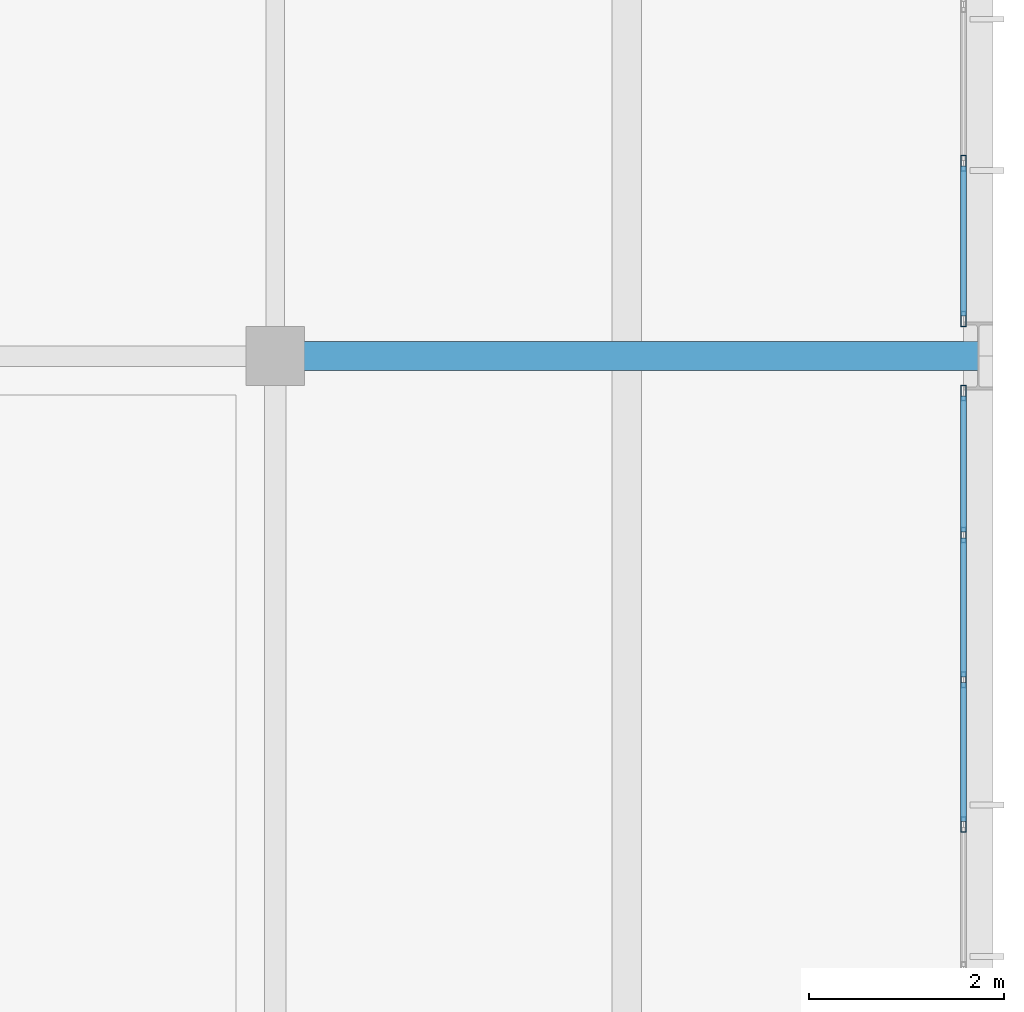
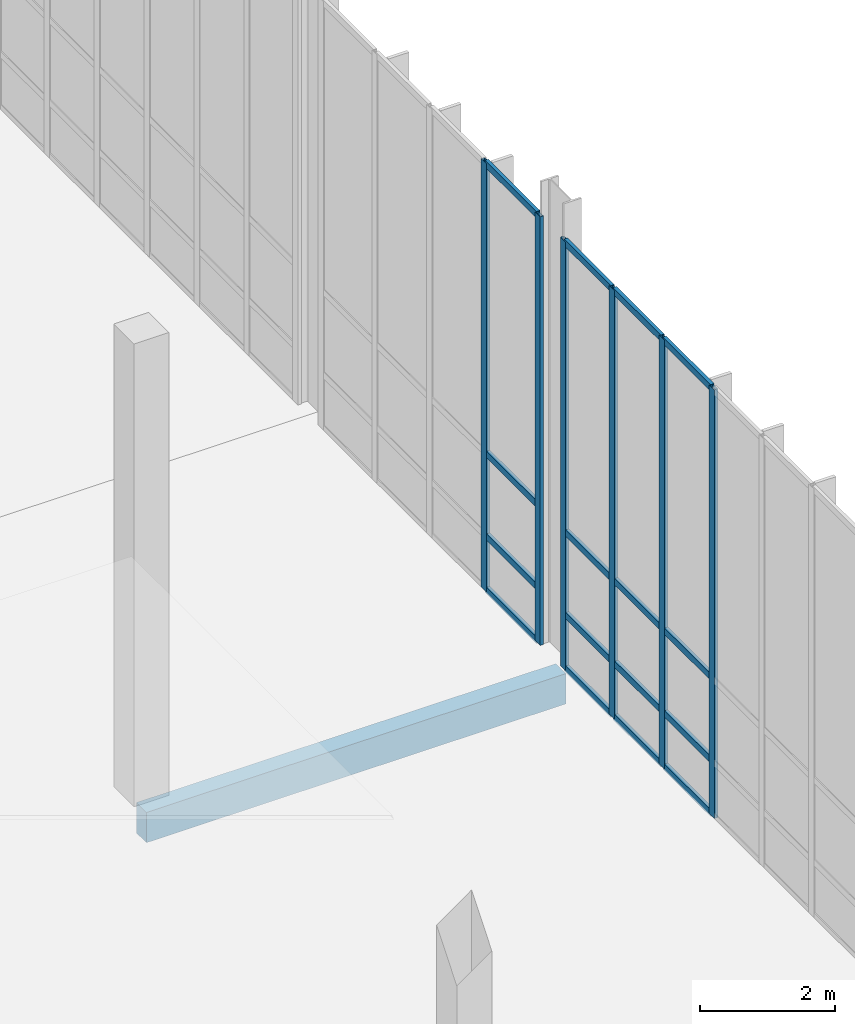
# One storey, part 90 of 131: 22 members, 1 beam, 2 elements without a shape of their own.
"""IFC4 building model written with IfcOpenShell, lengths in metres."""

from ifc_helpers import new_model, si_unit, direction, frame, origin, origin_2d, place, context, subcontext, project, spatial, rectangle, hollow_rectangle, extrude, material, material_profile, profile_set, type_object, element, aggregate, save


model = new_model("IFC4")

# Units and contexts
model_context = context("Model", 3, precision=1e-05, world=origin(), true_north=direction((0.0, 1.0)))
body_context = subcontext(model_context, "Body", "Model", "MODEL_VIEW")
ifc_project = project(units=[si_unit("LENGTHUNIT", "METRE"), si_unit("AREAUNIT", "SQUARE_METRE"), si_unit("VOLUMEUNIT", "CUBIC_METRE"), si_unit("PLANEANGLEUNIT", "RADIAN"), si_unit("MASSUNIT", "GRAM", prefix="KILO")], contexts=[model_context])

# Site, building, storey
site_placement = place(None, origin())
site = spatial("IfcSite", under=ifc_project, at=site_placement, CompositionType="ELEMENT")
building_placement = place(site_placement, origin())
building = spatial("IfcBuilding", under=site, at=building_placement, Name="Veltarok Museum of Natural Sciences", CompositionType="ELEMENT")
storey_placement = place(building_placement, origin())
storey = spatial("IfcBuildingStorey", under=building, at=storey_placement, Name="L00", CompositionType="ELEMENT", Elevation=0.0)

# Curtain wall, members
ifc_material_1 = material(Name="Low-iron triple insulated glass", Category="glass")
curtain_wall_type_1 = type_object("IfcCurtainWallType", Name="Curtain Wall System CW-V5E-L00-B-890x778 (V5 East Lab L00 B-C 890x778cm)", PredefinedType="NOTDEFINED", material=ifc_material_1)
curtain_wall_1_placement = place(storey_placement, origin())
curtain_wall_1 = element("IfcCurtainWall", 1, at=curtain_wall_1_placement, inside=storey, type_object=curtain_wall_type_1, Name="Curtain Wall CW-V5E-L00-B-890x778 CW-0099", PredefinedType="NOTDEFINED")
ifc_material_2 = material(Name="Thermally broken anodised aluminium", Category="aluminium")
ifc_material_profile_1 = material_profile(ifc_material_2, hollow_rectangle(XDim=0.06005859375, YDim=0.1201171875, WallThickness=0.0048828125, at=origin_2d()), Name="CW TRANSOM 60x120x5")
ifc_profile_set_1 = profile_set([ifc_material_profile_1], Name="Thermally broken anodised aluminium")
member_type_1 = type_object("IfcMemberType", Name="Curtain Wall Horizontal Transom 60x120x5", PredefinedType="USERDEFINED", material=ifc_profile_set_1)
member_1_placement = place(storey_placement, frame((164.64990234375, 14.429931640625, 0.030029296875), z_axis=(0.0, 1.0, 0.0), x_axis=(-1.0, 0.0, 0.0)))
member_1 = element("IfcMember", 2, at=member_1_placement, type_object=member_type_1, Name="CW-V5E-L00-B-890x778 transom 4.1", ObjectType="TRANSOM", PredefinedType="USERDEFINED", context=body_context, shape_type="SweptSolid", body=[
    extrude(hollow_rectangle(XDim=0.06005859375, YDim=0.1201171875, WallThickness=0.0048828125, at=origin_2d()), origin(), (0.0, 0.0, 1.0), 1.42333984375),
])
member_2_placement = place(storey_placement, frame((164.64990234375, 14.429931640625, 1.0), z_axis=(0.0, 1.0, 0.0), x_axis=(-1.0, 0.0, 0.0)))
member_2 = element("IfcMember", 3, at=member_2_placement, type_object=member_type_1, Name="CW-V5E-L00-B-890x778 transom 4.2", ObjectType="TRANSOM", PredefinedType="USERDEFINED", context=body_context, shape_type="SweptSolid", body=[
    extrude(hollow_rectangle(XDim=0.06005859375, YDim=0.1201171875, WallThickness=0.0048828125, at=origin_2d()), origin(), (0.0, 0.0, 1.0), 1.42333984375),
])
member_3_placement = place(storey_placement, frame((164.64990234375, 14.429931640625, 2.5), z_axis=(0.0, 1.0, 0.0), x_axis=(-1.0, 0.0, 0.0)))
member_3 = element("IfcMember", 4, at=member_3_placement, type_object=member_type_1, Name="CW-V5E-L00-B-890x778 transom 4.3", ObjectType="TRANSOM", PredefinedType="USERDEFINED", context=body_context, shape_type="SweptSolid", body=[
    extrude(hollow_rectangle(XDim=0.06005859375, YDim=0.1201171875, WallThickness=0.0048828125, at=origin_2d()), origin(), (0.0, 0.0, 1.0), 1.42333984375),
])
member_4_placement = place(storey_placement, frame((164.64990234375, 14.429931640625, 7.75), z_axis=(0.0, 1.0, 0.0), x_axis=(-1.0, 0.0, 0.0)))
member_4 = element("IfcMember", 5, at=member_4_placement, type_object=member_type_1, Name="CW-V5E-L00-B-890x778 transom 4.4", ObjectType="TRANSOM", PredefinedType="USERDEFINED", context=body_context, shape_type="SweptSolid", body=[
    extrude(hollow_rectangle(XDim=0.06005859375, YDim=0.1201171875, WallThickness=0.0048828125, at=origin_2d()), origin(), (0.0, 0.0, 1.0), 1.42333984375),
])
member_5_placement = place(storey_placement, frame((164.64990234375, 15.913330078125, 0.030029296875), z_axis=(0.0, 1.0, 0.0), x_axis=(-1.0, 0.0, 0.0)))
member_5 = element("IfcMember", 6, at=member_5_placement, type_object=member_type_1, Name="CW-V5E-L00-B-890x778 transom 5.1", ObjectType="TRANSOM", PredefinedType="USERDEFINED", context=body_context, shape_type="SweptSolid", body=[
    extrude(hollow_rectangle(XDim=0.06005859375, YDim=0.1201171875, WallThickness=0.0048828125, at=origin_2d()), origin(), (0.0, 0.0, 1.0), 1.42333984375),
])
member_6_placement = place(storey_placement, frame((164.64990234375, 15.913330078125, 1.0), z_axis=(0.0, 1.0, 0.0), x_axis=(-1.0, 0.0, 0.0)))
member_6 = element("IfcMember", 7, at=member_6_placement, type_object=member_type_1, Name="CW-V5E-L00-B-890x778 transom 5.2", ObjectType="TRANSOM", PredefinedType="USERDEFINED", context=body_context, shape_type="SweptSolid", body=[
    extrude(hollow_rectangle(XDim=0.06005859375, YDim=0.1201171875, WallThickness=0.0048828125, at=origin_2d()), origin(), (0.0, 0.0, 1.0), 1.42333984375),
])
member_7_placement = place(storey_placement, frame((164.64990234375, 15.913330078125, 2.5), z_axis=(0.0, 1.0, 0.0), x_axis=(-1.0, 0.0, 0.0)))
member_7 = element("IfcMember", 8, at=member_7_placement, type_object=member_type_1, Name="CW-V5E-L00-B-890x778 transom 5.3", ObjectType="TRANSOM", PredefinedType="USERDEFINED", context=body_context, shape_type="SweptSolid", body=[
    extrude(hollow_rectangle(XDim=0.06005859375, YDim=0.1201171875, WallThickness=0.0048828125, at=origin_2d()), origin(), (0.0, 0.0, 1.0), 1.42333984375),
])
member_8_placement = place(storey_placement, frame((164.64990234375, 15.913330078125, 7.75), z_axis=(0.0, 1.0, 0.0), x_axis=(-1.0, 0.0, 0.0)))
member_8 = element("IfcMember", 9, at=member_8_placement, type_object=member_type_1, Name="CW-V5E-L00-B-890x778 transom 5.4", ObjectType="TRANSOM", PredefinedType="USERDEFINED", context=body_context, shape_type="SweptSolid", body=[
    extrude(hollow_rectangle(XDim=0.06005859375, YDim=0.1201171875, WallThickness=0.0048828125, at=origin_2d()), origin(), (0.0, 0.0, 1.0), 1.42333984375),
])
member_9_placement = place(storey_placement, frame((164.64990234375, 17.396728515625, 0.030029296875), z_axis=(0.0, 1.0, 0.0), x_axis=(-1.0, 0.0, 0.0)))
member_9 = element("IfcMember", 10, at=member_9_placement, type_object=member_type_1, Name="CW-V5E-L00-B-890x778 transom 6.1", ObjectType="TRANSOM", PredefinedType="USERDEFINED", context=body_context, shape_type="SweptSolid", body=[
    extrude(hollow_rectangle(XDim=0.06005859375, YDim=0.1201171875, WallThickness=0.0048828125, at=origin_2d()), origin(), (0.0, 0.0, 1.0), 1.393310546875),
])
member_10_placement = place(storey_placement, frame((164.64990234375, 17.396728515625, 1.0), z_axis=(0.0, 1.0, 0.0), x_axis=(-1.0, 0.0, 0.0)))
member_10 = element("IfcMember", 11, at=member_10_placement, type_object=member_type_1, Name="CW-V5E-L00-B-890x778 transom 6.2", ObjectType="TRANSOM", PredefinedType="USERDEFINED", context=body_context, shape_type="SweptSolid", body=[
    extrude(hollow_rectangle(XDim=0.06005859375, YDim=0.1201171875, WallThickness=0.0048828125, at=origin_2d()), origin(), (0.0, 0.0, 1.0), 1.393310546875),
])
member_11_placement = place(storey_placement, frame((164.64990234375, 17.396728515625, 2.5), z_axis=(0.0, 1.0, 0.0), x_axis=(-1.0, 0.0, 0.0)))
member_11 = element("IfcMember", 12, at=member_11_placement, type_object=member_type_1, Name="CW-V5E-L00-B-890x778 transom 6.3", ObjectType="TRANSOM", PredefinedType="USERDEFINED", context=body_context, shape_type="SweptSolid", body=[
    extrude(hollow_rectangle(XDim=0.06005859375, YDim=0.1201171875, WallThickness=0.0048828125, at=origin_2d()), origin(), (0.0, 0.0, 1.0), 1.393310546875),
])
member_12_placement = place(storey_placement, frame((164.64990234375, 17.396728515625, 7.75), z_axis=(0.0, 1.0, 0.0), x_axis=(-1.0, 0.0, 0.0)))
member_12 = element("IfcMember", 13, at=member_12_placement, type_object=member_type_1, Name="CW-V5E-L00-B-890x778 transom 6.4", ObjectType="TRANSOM", PredefinedType="USERDEFINED", context=body_context, shape_type="SweptSolid", body=[
    extrude(hollow_rectangle(XDim=0.06005859375, YDim=0.1201171875, WallThickness=0.0048828125, at=origin_2d()), origin(), (0.0, 0.0, 1.0), 1.393310546875),
])

curtain_wall_type_2 = type_object("IfcCurtainWallType", Name="Curtain Wall System CW-V5E-L00-C-650x778 (V5 East Lab L00 C-D 650x778cm)", PredefinedType="NOTDEFINED", material=ifc_material_1)
curtain_wall_2_placement = place(storey_placement, origin())
curtain_wall_2 = element("IfcCurtainWall", 14, at=curtain_wall_2_placement, inside=storey, type_object=curtain_wall_type_2, Name="Curtain Wall CW-V5E-L00-C-650x778 CW-0100", PredefinedType="NOTDEFINED")
member_13_placement = place(storey_placement, frame((164.64990234375, 19.610107421875, 0.030029296875), z_axis=(0.0, 1.0, 0.0), x_axis=(-1.0, 0.0, 0.0)))
member_13 = element("IfcMember", 15, at=member_13_placement, type_object=member_type_1, Name="CW-V5E-L00-C-650x778 transom 1.1", ObjectType="TRANSOM", PredefinedType="USERDEFINED", context=body_context, shape_type="SweptSolid", body=[
    extrude(hollow_rectangle(XDim=0.06005859375, YDim=0.1201171875, WallThickness=0.0048828125, at=origin_2d()), origin(), (0.0, 0.0, 1.0), 1.534912109375),
])
member_14_placement = place(storey_placement, frame((164.64990234375, 19.610107421875, 1.0), z_axis=(0.0, 1.0, 0.0), x_axis=(-1.0, 0.0, 0.0)))
member_14 = element("IfcMember", 16, at=member_14_placement, type_object=member_type_1, Name="CW-V5E-L00-C-650x778 transom 1.2", ObjectType="TRANSOM", PredefinedType="USERDEFINED", context=body_context, shape_type="SweptSolid", body=[
    extrude(hollow_rectangle(XDim=0.06005859375, YDim=0.1201171875, WallThickness=0.0048828125, at=origin_2d()), origin(), (0.0, 0.0, 1.0), 1.534912109375),
])
member_15_placement = place(storey_placement, frame((164.64990234375, 19.610107421875, 2.5), z_axis=(0.0, 1.0, 0.0), x_axis=(-1.0, 0.0, 0.0)))
member_15 = element("IfcMember", 17, at=member_15_placement, type_object=member_type_1, Name="CW-V5E-L00-C-650x778 transom 1.3", ObjectType="TRANSOM", PredefinedType="USERDEFINED", context=body_context, shape_type="SweptSolid", body=[
    extrude(hollow_rectangle(XDim=0.06005859375, YDim=0.1201171875, WallThickness=0.0048828125, at=origin_2d()), origin(), (0.0, 0.0, 1.0), 1.534912109375),
])
member_16_placement = place(storey_placement, frame((164.64990234375, 19.610107421875, 7.75), z_axis=(0.0, 1.0, 0.0), x_axis=(-1.0, 0.0, 0.0)))
member_16 = element("IfcMember", 18, at=member_16_placement, type_object=member_type_1, Name="CW-V5E-L00-C-650x778 transom 1.4", ObjectType="TRANSOM", PredefinedType="USERDEFINED", context=body_context, shape_type="SweptSolid", body=[
    extrude(hollow_rectangle(XDim=0.06005859375, YDim=0.1201171875, WallThickness=0.0048828125, at=origin_2d()), origin(), (0.0, 0.0, 1.0), 1.534912109375),
])

# Member
ifc_material_profile_2 = material_profile(ifc_material_2, hollow_rectangle(XDim=0.06005859375, YDim=0.159912109375, WallThickness=0.0048828125, at=origin_2d()), Name="CW MULLION 60x160x5")
ifc_profile_set_2 = profile_set([ifc_material_profile_2], Name="Thermally broken anodised aluminium")
member_type_2 = type_object("IfcMemberType", Name="Curtain Wall Vertical Mullion 60x160x5", PredefinedType="MULLION", material=ifc_profile_set_2)
member_17_placement = place(storey_placement, frame((164.64990234375, 14.39990234375, 0.0), z_axis=(0.0, 0.0, 1.0), x_axis=(-1.0, 0.0, 0.0)))
member_17 = element("IfcMember", 19, at=member_17_placement, type_object=member_type_2, Name="CW-V5E-L00-B-890x778 mullion 4", PredefinedType="MULLION", context=body_context, shape_type="SweptSolid", body=[
    extrude(hollow_rectangle(XDim=0.06005859375, YDim=0.159912109375, WallThickness=0.0048828125, at=origin_2d()), origin(), (0.0, 0.0, 1.0), 7.780029296875),
])

member_18_placement = place(storey_placement, frame((164.64990234375, 15.88330078125, 0.0), z_axis=(0.0, 0.0, 1.0), x_axis=(-1.0, 0.0, 0.0)))
member_18 = element("IfcMember", 20, at=member_18_placement, type_object=member_type_2, Name="CW-V5E-L00-B-890x778 mullion 5", PredefinedType="MULLION", context=body_context, shape_type="SweptSolid", body=[
    extrude(hollow_rectangle(XDim=0.06005859375, YDim=0.159912109375, WallThickness=0.0048828125, at=origin_2d()), origin(), (0.0, 0.0, 1.0), 7.780029296875),
])

member_19_placement = place(storey_placement, frame((164.64990234375, 17.36669921875, 0.0), z_axis=(0.0, 0.0, 1.0), x_axis=(-1.0, 0.0, 0.0)))
member_19 = element("IfcMember", 21, at=member_19_placement, type_object=member_type_2, Name="CW-V5E-L00-B-890x778 mullion 6", PredefinedType="MULLION", context=body_context, shape_type="SweptSolid", body=[
    extrude(hollow_rectangle(XDim=0.06005859375, YDim=0.159912109375, WallThickness=0.0048828125, at=origin_2d()), origin(), (0.0, 0.0, 1.0), 7.780029296875),
])

member_20_placement = place(storey_placement, frame((164.64990234375, 18.820068359375, 0.0), z_axis=(0.0, 0.0, 1.0), x_axis=(-1.0, 0.0, 0.0)))
member_20 = element("IfcMember", 22, at=member_20_placement, type_object=member_type_2, Name="CW-V5E-L00-B-890x778 mullion 7", PredefinedType="MULLION", context=body_context, shape_type="SweptSolid", body=[
    extrude(hollow_rectangle(XDim=0.06005859375, YDim=0.159912109375, WallThickness=0.0048828125, at=origin_2d()), origin(), (0.0, 0.0, 1.0), 7.780029296875),
])

aggregate(curtain_wall_1, [member_17, member_18, member_19, member_20, member_1, member_2, member_3, member_4, member_5, member_6, member_7, member_8, member_9, member_10, member_11, member_12])

member_21_placement = place(storey_placement, frame((164.64990234375, 19.580078125, 0.0), z_axis=(0.0, 0.0, 1.0), x_axis=(-1.0, 0.0, 0.0)))
member_21 = element("IfcMember", 23, at=member_21_placement, type_object=member_type_2, Name="CW-V5E-L00-C-650x778 mullion 1", PredefinedType="MULLION", context=body_context, shape_type="SweptSolid", body=[
    extrude(hollow_rectangle(XDim=0.06005859375, YDim=0.159912109375, WallThickness=0.0048828125, at=origin_2d()), origin(), (0.0, 0.0, 1.0), 7.780029296875),
])

member_22_placement = place(storey_placement, frame((164.64990234375, 21.175048828125, 0.0), z_axis=(0.0, 0.0, 1.0), x_axis=(-1.0, 0.0, 0.0)))
member_22 = element("IfcMember", 24, at=member_22_placement, type_object=member_type_2, Name="CW-V5E-L00-C-650x778 mullion 2", PredefinedType="MULLION", context=body_context, shape_type="SweptSolid", body=[
    extrude(hollow_rectangle(XDim=0.06005859375, YDim=0.159912109375, WallThickness=0.0048828125, at=origin_2d()), origin(), (0.0, 0.0, 1.0), 7.780029296875),
])

aggregate(curtain_wall_2, [member_21, member_22, member_13, member_14, member_15, member_16])

# Beam
ifc_material_3 = material(Name="Precast concrete C40/50", Category="concrete")
ifc_material_profile_3 = material_profile(ifc_material_3, rectangle(XDim=0.300048828125, YDim=0.550048828125, at=origin_2d()), Name="RC 300x550")
ifc_profile_set_3 = profile_set([ifc_material_profile_3], Name="Precast concrete C40/50")
beam_type = type_object("IfcBeamType", Name="East Wing Precast Spandrel RC 300x550", PredefinedType="SPANDREL", material=ifc_profile_set_3)
beam_placement = place(storey_placement, frame((157.60009765625, 19.199951171875, -0.574951171875), z_axis=(1.0, 0.0, 0.0), x_axis=(0.0, 1.0, 0.0)))
element("IfcBeam", 25, at=beam_placement, inside=storey, type_object=beam_type, Name="Beam BM-SP02 L00 19-20/C", PredefinedType="SPANDREL", context=body_context, shape_type="SweptSolid", body=[
    extrude(rectangle(XDim=0.300048828125, YDim=0.550048828125, at=origin_2d()), origin(), (0.0, 0.0, 1.0), 7.199951171875),
])

save(model, "model.ifc")
